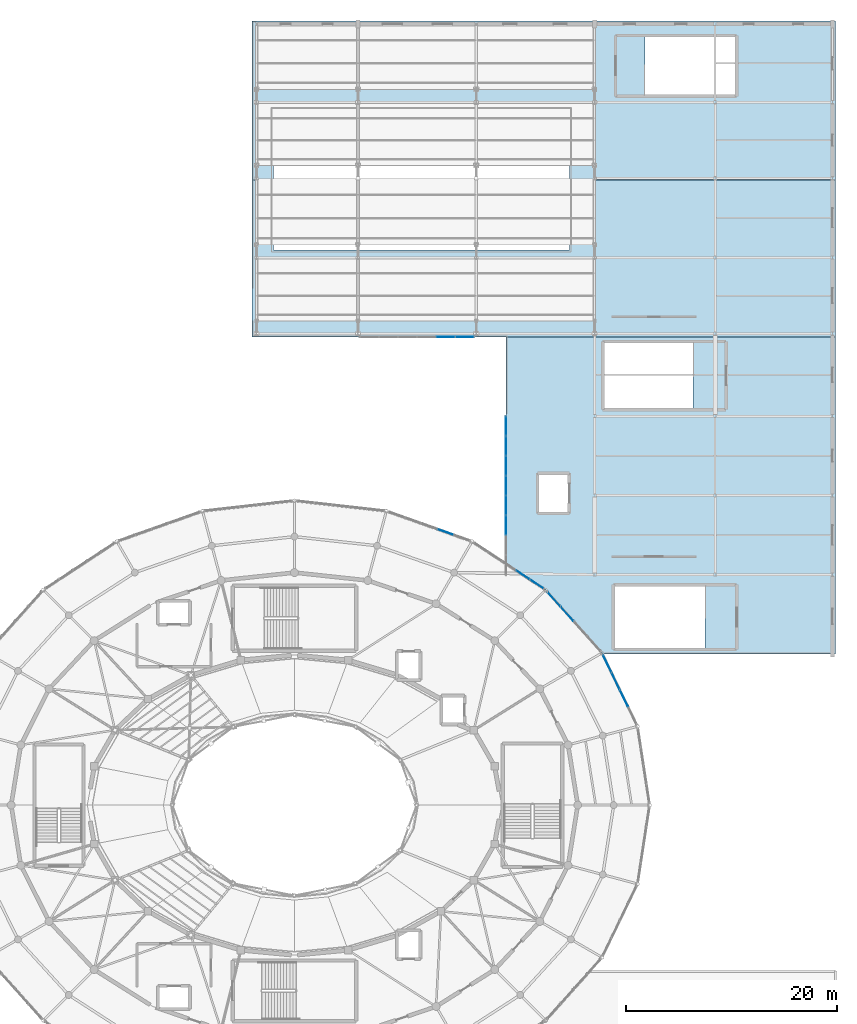
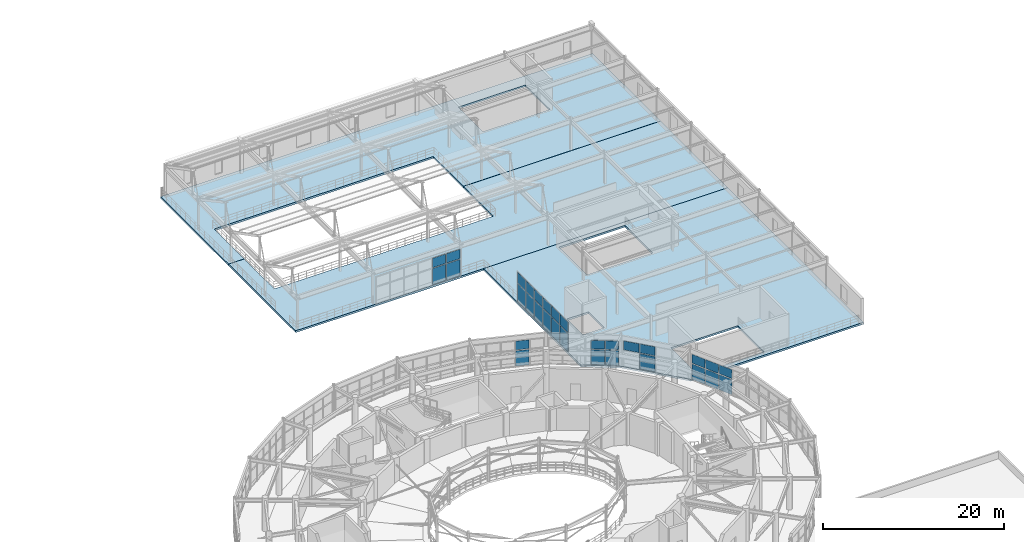
# One storey, part 79 of 112: 31 plates, 3 slabs, 7 elements without a shape of their own.
"""IFC4 building model written with IfcOpenShell, lengths in metres."""

from ifc_helpers import new_model, si_unit, direction, frame, origin, origin_2d, place, context, subcontext, project, spatial, polyline, rectangle, outline, extrude, material, layer, layer_set, type_object, element, aggregate, save


model = new_model("IFC4")

# Units and contexts
model_context = context("Model", 3, precision=1e-05, world=origin(), true_north=direction((0.0, 1.0)))
body_context = subcontext(model_context, "Body", "Model", "MODEL_VIEW")
ifc_project = project(units=[si_unit("LENGTHUNIT", "METRE"), si_unit("AREAUNIT", "SQUARE_METRE"), si_unit("VOLUMEUNIT", "CUBIC_METRE"), si_unit("PLANEANGLEUNIT", "RADIAN"), si_unit("MASSUNIT", "GRAM", prefix="KILO")], contexts=[model_context])

# Site, building, storey
site_placement = place(None, origin())
site = spatial("IfcSite", under=ifc_project, at=site_placement, CompositionType="ELEMENT")
building_placement = place(site_placement, origin())
building = spatial("IfcBuilding", under=site, at=building_placement, Name="Cinderbank Siding Concert Hall", CompositionType="ELEMENT")
storey_placement = place(building_placement, frame((0.0, 0.0, 10.199951171875)))
storey = spatial("IfcBuildingStorey", under=building, at=storey_placement, Name="L03", CompositionType="ELEMENT", Elevation=10.199951171875)

# Curtain wall, plates
ifc_material_1 = material(Name="Anodised aluminium alloy 6063-T6", Category="aluminium")
curtain_wall_type_1 = type_object("IfcCurtainWallType", Name="CW-16 Unitised Acoustic Curtain Wall 9200x3800", PredefinedType="NOTDEFINED", material=ifc_material_1)
curtain_wall_1_placement = place(storey_placement, origin())
curtain_wall_1 = element("IfcCurtainWall", 1, at=curtain_wall_1_placement, inside=storey, type_object=curtain_wall_type_1, Name="L03 Curtain Wall CW-16 #152", PredefinedType="NOTDEFINED")
ifc_material_2 = material(Name="Double-glazed laminated acoustic glass", Category="glass")
ifc_layer_1 = layer(ifc_material_2, 0.035888671875)
ifc_layer_set_1 = layer_set([ifc_layer_1], Name="Double-glazed laminated acoustic glass")
plate_type_1 = type_object("IfcPlateType", Name="CP-01 Glazed Curtain Panel 1800x2200", PredefinedType="CURTAIN_PANEL", material=ifc_layer_set_1)
plate_1_placement = place(storey_placement, frame((136.303466796875, 88.300048828125, 0.1201171875), z_axis=(0.0, 0.0, 1.0), x_axis=(1.0, 0.0, 0.0)))
plate_1 = element("IfcPlate", 2, at=plate_1_placement, type_object=plate_type_1, Name="CW-L03-152 Glazed Panel 4-0", PredefinedType="CURTAIN_PANEL", context=body_context, shape_type="SweptSolid", body=[
    extrude(rectangle(XDim=1.702392578125, YDim=0.035888671875, at=origin_2d()), origin(), (0.0, 0.0, 1.0), 2.174072265625),
])
plate_2_placement = place(storey_placement, frame((136.303466796875, 88.300048828125, 2.4140625), z_axis=(0.0, 0.0, 1.0), x_axis=(1.0, 0.0, 0.0)))
plate_2 = element("IfcPlate", 3, at=plate_2_placement, type_object=plate_type_1, Name="CW-L03-152 Glazed Panel 4-1", PredefinedType="CURTAIN_PANEL", context=body_context, shape_type="SweptSolid", body=[
    extrude(rectangle(XDim=1.702392578125, YDim=0.035888671875, at=origin_2d()), origin(), (0.0, 0.0, 1.0), 1.262939453125),
])
plate_3_placement = place(storey_placement, frame((138.105712890625, 88.300048828125, 0.1201171875), z_axis=(0.0, 0.0, 1.0), x_axis=(1.0, 0.0, 0.0)))
plate_3 = element("IfcPlate", 4, at=plate_3_placement, type_object=plate_type_1, Name="CW-L03-152 Glazed Panel 5-0", PredefinedType="CURTAIN_PANEL", context=body_context, shape_type="SweptSolid", body=[
    extrude(rectangle(XDim=1.702392578125, YDim=0.035888671875, at=origin_2d()), origin(), (0.0, 0.0, 1.0), 2.174072265625),
])
plate_4_placement = place(storey_placement, frame((138.105712890625, 88.300048828125, 2.4140625), z_axis=(0.0, 0.0, 1.0), x_axis=(1.0, 0.0, 0.0)))
plate_4 = element("IfcPlate", 5, at=plate_4_placement, type_object=plate_type_1, Name="CW-L03-152 Glazed Panel 5-1", PredefinedType="CURTAIN_PANEL", context=body_context, shape_type="SweptSolid", body=[
    extrude(rectangle(XDim=1.702392578125, YDim=0.035888671875, at=origin_2d()), origin(), (0.0, 0.0, 1.0), 1.262939453125),
])
aggregate(curtain_wall_1, [plate_1, plate_2, plate_3, plate_4])

curtain_wall_type_2 = type_object("IfcCurtainWallType", Name="CW-02 Unitised Acoustic Curtain Wall 7800x4400", PredefinedType="NOTDEFINED", material=ifc_material_1)
curtain_wall_2_placement = place(storey_placement, origin())
curtain_wall_2 = element("IfcCurtainWall", 6, at=curtain_wall_2_placement, inside=storey, type_object=curtain_wall_type_2, Name="L03 Curtain Wall CW-02 #26", PredefinedType="NOTDEFINED")
ifc_layer_2 = layer(ifc_material_2, 0.035888671875)
ifc_layer_set_2 = layer_set([ifc_layer_2], Name="Double-glazed laminated acoustic glass")
plate_type_2 = type_object("IfcPlateType", Name="CP-03 Glazed Curtain Panel 1600x2100", PredefinedType="CURTAIN_PANEL", material=ifc_layer_set_2)
plate_5_placement = place(storey_placement, frame((153.171630859375, 54.10986328125, 0.1201171875), z_axis=(0.0, 0.0, 1.0), x_axis=(-0.435102109714, 0.900381116041, 0.0)))
plate_5 = element("IfcPlate", 7, at=plate_5_placement, type_object=plate_type_2, Name="CW-L03-026 Glazed Panel 1-0", PredefinedType="CURTAIN_PANEL", context=body_context, shape_type="SweptSolid", body=[
    extrude(rectangle(XDim=1.715087890625, YDim=0.035888671875, at=origin_2d()), origin(), (0.0, 0.0, 1.0), 2.0625),
])
plate_6_placement = place(storey_placement, frame((153.171630859375, 54.10986328125, 2.302734375), z_axis=(0.0, 0.0, 1.0), x_axis=(-0.435102109714, 0.900381116041, 0.0)))
plate_6 = element("IfcPlate", 8, at=plate_6_placement, type_object=plate_type_2, Name="CW-L03-026 Glazed Panel 1-1", PredefinedType="CURTAIN_PANEL", context=body_context, shape_type="SweptSolid", body=[
    extrude(rectangle(XDim=1.715087890625, YDim=0.035888671875, at=origin_2d()), origin(), (0.0, 0.0, 1.0), 1.194580078125),
])
plate_7_placement = place(storey_placement, frame((152.3818359375, 55.744140625, 0.1201171875), z_axis=(0.0, 0.0, 1.0), x_axis=(-0.435102109714, 0.900381116041, 0.0)))
plate_7 = element("IfcPlate", 9, at=plate_7_placement, type_object=plate_type_2, Name="CW-L03-026 Glazed Panel 2-0", PredefinedType="CURTAIN_PANEL", context=body_context, shape_type="SweptSolid", body=[
    extrude(rectangle(XDim=1.715087890625, YDim=0.035888671875, at=origin_2d()), origin(), (0.0, 0.0, 1.0), 2.0625),
])
plate_8_placement = place(storey_placement, frame((152.3818359375, 55.744140625, 2.302734375), z_axis=(0.0, 0.0, 1.0), x_axis=(-0.435102109714, 0.900381116041, 0.0)))
plate_8 = element("IfcPlate", 10, at=plate_8_placement, type_object=plate_type_2, Name="CW-L03-026 Glazed Panel 2-1", PredefinedType="CURTAIN_PANEL", context=body_context, shape_type="SweptSolid", body=[
    extrude(rectangle(XDim=1.715087890625, YDim=0.035888671875, at=origin_2d()), origin(), (0.0, 0.0, 1.0), 1.194580078125),
])
plate_9_placement = place(storey_placement, frame((151.592041015625, 57.37841796875, 0.1201171875), z_axis=(0.0, 0.0, 1.0), x_axis=(-0.435102109714, 0.900381116041, 0.0)))
plate_9 = element("IfcPlate", 11, at=plate_9_placement, type_object=plate_type_2, Name="CW-L03-026 Glazed Panel 3-0", PredefinedType="CURTAIN_PANEL", context=body_context, shape_type="SweptSolid", body=[
    extrude(rectangle(XDim=1.715087890625, YDim=0.035888671875, at=origin_2d()), origin(), (0.0, 0.0, 1.0), 2.0625),
])
plate_10_placement = place(storey_placement, frame((151.592041015625, 57.37841796875, 2.302734375), z_axis=(0.0, 0.0, 1.0), x_axis=(-0.435102109714, 0.900381116041, 0.0)))
plate_10 = element("IfcPlate", 12, at=plate_10_placement, type_object=plate_type_2, Name="CW-L03-026 Glazed Panel 3-1", PredefinedType="CURTAIN_PANEL", context=body_context, shape_type="SweptSolid", body=[
    extrude(rectangle(XDim=1.715087890625, YDim=0.035888671875, at=origin_2d()), origin(), (0.0, 0.0, 1.0), 1.194580078125),
])
aggregate(curtain_wall_2, [plate_5, plate_6, plate_7, plate_8, plate_9, plate_10])

curtain_wall_type_3 = type_object("IfcCurtainWallType", Name="CW-03 Unitised Acoustic Curtain Wall 7400x4400", PredefinedType="NOTDEFINED", material=ifc_material_1)
curtain_wall_3_placement = place(storey_placement, origin())
curtain_wall_3 = element("IfcCurtainWall", 13, at=curtain_wall_3_placement, inside=storey, type_object=curtain_wall_type_3, Name="L03 Curtain Wall CW-03 #27", PredefinedType="NOTDEFINED")
ifc_layer_3 = layer(ifc_material_2, 0.031982421875)
ifc_layer_set_3 = layer_set([ifc_layer_3], Name="Double-glazed laminated acoustic glass")
plate_type_3 = type_object("IfcPlateType", Name="CP-04 Glazed Curtain Panel 1400x2000", PredefinedType="CURTAIN_PANEL", material=ifc_layer_set_3)
plate_11_placement = place(storey_placement, frame((147.799072265625, 62.085693359375, 0.1201171875), z_axis=(0.0, 0.0, 1.0), x_axis=(-0.666993465338, 0.745063565877, 0.0)))
plate_11 = element("IfcPlate", 14, at=plate_11_placement, type_object=plate_type_3, Name="CW-L03-027 Glazed Panel 2-0", PredefinedType="CURTAIN_PANEL", context=body_context, shape_type="SweptSolid", body=[
    extrude(rectangle(XDim=1.787841796875, YDim=0.035888671875, at=origin_2d()), origin(), (0.0, 0.0, 1.0), 2.0625),
])
plate_12_placement = place(storey_placement, frame((147.799072265625, 62.085693359375, 2.302734375), z_axis=(0.0, 0.0, 1.0), x_axis=(-0.666993465338, 0.745063565877, 0.0)))
plate_12 = element("IfcPlate", 15, at=plate_12_placement, type_object=plate_type_3, Name="CW-L03-027 Glazed Panel 2-1", PredefinedType="CURTAIN_PANEL", context=body_context, shape_type="SweptSolid", body=[
    extrude(rectangle(XDim=1.787841796875, YDim=0.035888671875, at=origin_2d()), origin(), (0.0, 0.0, 1.0), 1.194580078125),
])
plate_13_placement = place(storey_placement, frame((146.539794921875, 63.4921875, 2.302734375), z_axis=(0.0, 0.0, 1.0), x_axis=(-0.666993465338, 0.745063565877, 0.0)))
plate_13 = element("IfcPlate", 16, at=plate_13_placement, type_object=plate_type_3, Name="CW-L03-027 Glazed Panel 3-1", PredefinedType="CURTAIN_PANEL", context=body_context, shape_type="SweptSolid", body=[
    extrude(rectangle(XDim=1.787841796875, YDim=0.035888671875, at=origin_2d()), origin(), (0.0, 0.0, 1.0), 1.194580078125),
])
aggregate(curtain_wall_3, [plate_11, plate_12, plate_13])

curtain_wall_type_4 = type_object("IfcCurtainWallType", Name="CW-04 Unitised Acoustic Curtain Wall 7000x4400", PredefinedType="NOTDEFINED", material=ifc_material_1)
curtain_wall_4_placement = place(storey_placement, origin())
curtain_wall_4 = element("IfcCurtainWall", 17, at=curtain_wall_4_placement, inside=storey, type_object=curtain_wall_type_4, Name="L03 Curtain Wall CW-04 #28", PredefinedType="NOTDEFINED")
ifc_layer_4 = layer(ifc_material_2, 0.031982421875)
ifc_layer_set_4 = layer_set([ifc_layer_4], Name="Double-glazed laminated acoustic glass")
plate_type_4 = type_object("IfcPlateType", Name="CP-05 Glazed Curtain Panel 1200x1800", PredefinedType="CURTAIN_PANEL", material=ifc_layer_set_4)
plate_14_placement = place(storey_placement, frame((144.9111328125, 64.922119140625, 0.1201171875), z_axis=(0.0, 0.0, 1.0), x_axis=(-0.835491932304, 0.549502712509, 0.0)))
plate_14 = element("IfcPlate", 18, at=plate_14_placement, type_object=plate_type_4, Name="CW-L03-028 Glazed Panel 0-0", PredefinedType="CURTAIN_PANEL", context=body_context, shape_type="SweptSolid", body=[
    extrude(rectangle(XDim=1.47509765625, YDim=0.035888671875, at=origin_2d()), origin(), (0.0, 0.0, 1.0), 2.00048828125),
])
plate_15_placement = place(storey_placement, frame((144.9111328125, 64.922119140625, 2.24072265625), z_axis=(0.0, 0.0, 1.0), x_axis=(-0.835491932304, 0.549502712509, 0.0)))
plate_15 = element("IfcPlate", 19, at=plate_15_placement, type_object=plate_type_4, Name="CW-L03-028 Glazed Panel 0-1", PredefinedType="CURTAIN_PANEL", context=body_context, shape_type="SweptSolid", body=[
    extrude(rectangle(XDim=1.47509765625, YDim=0.035888671875, at=origin_2d()), origin(), (0.0, 0.0, 1.0), 1.156494140625),
])
plate_16_placement = place(storey_placement, frame((143.59521484375, 65.78759765625, 0.1201171875), z_axis=(0.0, 0.0, 1.0), x_axis=(-0.835491932304, 0.549502712509, 0.0)))
plate_16 = element("IfcPlate", 20, at=plate_16_placement, type_object=plate_type_4, Name="CW-L03-028 Glazed Panel 1-0", PredefinedType="CURTAIN_PANEL", context=body_context, shape_type="SweptSolid", body=[
    extrude(rectangle(XDim=1.47509765625, YDim=0.035888671875, at=origin_2d()), origin(), (0.0, 0.0, 1.0), 2.00048828125),
])
plate_17_placement = place(storey_placement, frame((143.59521484375, 65.78759765625, 2.24072265625), z_axis=(0.0, 0.0, 1.0), x_axis=(-0.835491932304, 0.549502712509, 0.0)))
plate_17 = element("IfcPlate", 21, at=plate_17_placement, type_object=plate_type_4, Name="CW-L03-028 Glazed Panel 1-1", PredefinedType="CURTAIN_PANEL", context=body_context, shape_type="SweptSolid", body=[
    extrude(rectangle(XDim=1.47509765625, YDim=0.035888671875, at=origin_2d()), origin(), (0.0, 0.0, 1.0), 1.156494140625),
])
aggregate(curtain_wall_4, [plate_14, plate_15, plate_16, plate_17])

curtain_wall_5_placement = place(storey_placement, origin())
curtain_wall_5 = element("IfcCurtainWall", 22, at=curtain_wall_5_placement, inside=storey, type_object=curtain_wall_type_1, Name="L03 Curtain Wall CW-16 #148", PredefinedType="NOTDEFINED")
plate_18_placement = place(storey_placement, frame((142.0, 70.487548828125, 0.1201171875), z_axis=(0.0, 0.0, 1.0), x_axis=(0.0, 1.0, 0.0)))
plate_18 = element("IfcPlate", 23, at=plate_18_placement, type_object=plate_type_4, Name="CW-L03-148 Glazed Panel 2-0", PredefinedType="CURTAIN_PANEL", context=body_context, shape_type="SweptSolid", body=[
    extrude(rectangle(XDim=1.77490234375, YDim=0.035888671875, at=origin_2d()), origin(), (0.0, 0.0, 1.0), 2.433349609375),
])
plate_19_placement = place(storey_placement, frame((142.0, 70.487548828125, 2.67333984375), z_axis=(0.0, 0.0, 1.0), x_axis=(0.0, 1.0, 0.0)))
plate_19 = element("IfcPlate", 24, at=plate_19_placement, type_object=plate_type_4, Name="CW-L03-148 Glazed Panel 2-1", PredefinedType="CURTAIN_PANEL", context=body_context, shape_type="SweptSolid", body=[
    extrude(rectangle(XDim=1.77490234375, YDim=0.035888671875, at=origin_2d()), origin(), (0.0, 0.0, 1.0), 1.421630859375),
])
plate_20_placement = place(storey_placement, frame((142.0, 72.362548828125, 0.1201171875), z_axis=(0.0, 0.0, 1.0), x_axis=(0.0, 1.0, 0.0)))
plate_20 = element("IfcPlate", 25, at=plate_20_placement, type_object=plate_type_4, Name="CW-L03-148 Glazed Panel 3-0", PredefinedType="CURTAIN_PANEL", context=body_context, shape_type="SweptSolid", body=[
    extrude(rectangle(XDim=1.77490234375, YDim=0.035888671875, at=origin_2d()), origin(), (0.0, 0.0, 1.0), 2.433349609375),
])
plate_21_placement = place(storey_placement, frame((142.0, 72.362548828125, 2.67333984375), z_axis=(0.0, 0.0, 1.0), x_axis=(0.0, 1.0, 0.0)))
plate_21 = element("IfcPlate", 26, at=plate_21_placement, type_object=plate_type_4, Name="CW-L03-148 Glazed Panel 3-1", PredefinedType="CURTAIN_PANEL", context=body_context, shape_type="SweptSolid", body=[
    extrude(rectangle(XDim=1.77490234375, YDim=0.035888671875, at=origin_2d()), origin(), (0.0, 0.0, 1.0), 1.421630859375),
])
aggregate(curtain_wall_5, [plate_18, plate_19, plate_20, plate_21])

curtain_wall_type_5 = type_object("IfcCurtainWallType", Name="CW-05 Unitised Acoustic Curtain Wall 8200x3800", PredefinedType="NOTDEFINED", material=ifc_material_1)
curtain_wall_6_placement = place(storey_placement, origin())
curtain_wall_6 = element("IfcCurtainWall", 27, at=curtain_wall_6_placement, inside=storey, type_object=curtain_wall_type_5, Name="L03 Curtain Wall CW-05 #29", PredefinedType="NOTDEFINED")
ifc_layer_5 = layer(ifc_material_2, 0.0380859375)
ifc_layer_set_5 = layer_set([ifc_layer_5], Name="Double-glazed laminated acoustic glass")
plate_type_5 = type_object("IfcPlateType", Name="CP-06 Glazed Curtain Panel 2100x1600", PredefinedType="CURTAIN_PANEL", material=ifc_layer_set_5)
plate_22_placement = place(storey_placement, frame((136.283203125, 69.8349609375, 0.1201171875), z_axis=(0.0, 0.0, 1.0), x_axis=(-0.942365662238, 0.334584755532, 0.0)))
plate_22 = element("IfcPlate", 28, at=plate_22_placement, type_object=plate_type_5, Name="CW-L03-029 Glazed Panel 1-0", PredefinedType="CURTAIN_PANEL", context=body_context, shape_type="SweptSolid", body=[
    extrude(rectangle(XDim=1.529052734375, YDim=0.035888671875, at=origin_2d()), origin(), (0.0, 0.0, 1.0), 2.0625),
])
plate_23_placement = place(storey_placement, frame((136.283203125, 69.8349609375, 2.302734375), z_axis=(0.0, 0.0, 1.0), x_axis=(-0.942365662238, 0.334584755532, 0.0)))
plate_23 = element("IfcPlate", 29, at=plate_23_placement, type_object=plate_type_5, Name="CW-L03-029 Glazed Panel 1-1", PredefinedType="CURTAIN_PANEL", context=body_context, shape_type="SweptSolid", body=[
    extrude(rectangle(XDim=1.529052734375, YDim=0.035888671875, at=origin_2d()), origin(), (0.0, 0.0, 1.0), 1.194580078125),
])
aggregate(curtain_wall_6, [plate_22, plate_23])

curtain_wall_7_placement = place(storey_placement, origin())
curtain_wall_7 = element("IfcCurtainWall", 30, at=curtain_wall_7_placement, inside=storey, type_object=curtain_wall_type_1, Name="L03 Curtain Wall CW-16 #149", PredefinedType="NOTDEFINED")
plate_24_placement = place(storey_placement, frame((142.0, 74.237548828125, 0.1201171875), z_axis=(0.0, 0.0, 1.0), x_axis=(0.0, 1.0, 0.0)))
plate_24 = element("IfcPlate", 31, at=plate_24_placement, type_object=plate_type_5, Name="CW-L03-149 Glazed Panel 0-0", PredefinedType="CURTAIN_PANEL", context=body_context, shape_type="SweptSolid", body=[
    extrude(rectangle(XDim=1.77490234375, YDim=0.035888671875, at=origin_2d()), origin(), (0.0, 0.0, 1.0), 2.433349609375),
])
plate_25_placement = place(storey_placement, frame((142.0, 74.237548828125, 2.67333984375), z_axis=(0.0, 0.0, 1.0), x_axis=(0.0, 1.0, 0.0)))
plate_25 = element("IfcPlate", 32, at=plate_25_placement, type_object=plate_type_5, Name="CW-L03-149 Glazed Panel 0-1", PredefinedType="CURTAIN_PANEL", context=body_context, shape_type="SweptSolid", body=[
    extrude(rectangle(XDim=1.77490234375, YDim=0.035888671875, at=origin_2d()), origin(), (0.0, 0.0, 1.0), 1.421630859375),
])
plate_26_placement = place(storey_placement, frame((142.0, 76.112548828125, 0.1201171875), z_axis=(0.0, 0.0, 1.0), x_axis=(0.0, 1.0, 0.0)))
plate_26 = element("IfcPlate", 33, at=plate_26_placement, type_object=plate_type_5, Name="CW-L03-149 Glazed Panel 1-0", PredefinedType="CURTAIN_PANEL", context=body_context, shape_type="SweptSolid", body=[
    extrude(rectangle(XDim=1.77490234375, YDim=0.035888671875, at=origin_2d()), origin(), (0.0, 0.0, 1.0), 2.433349609375),
])
plate_27_placement = place(storey_placement, frame((142.0, 76.112548828125, 2.67333984375), z_axis=(0.0, 0.0, 1.0), x_axis=(0.0, 1.0, 0.0)))
plate_27 = element("IfcPlate", 34, at=plate_27_placement, type_object=plate_type_5, Name="CW-L03-149 Glazed Panel 1-1", PredefinedType="CURTAIN_PANEL", context=body_context, shape_type="SweptSolid", body=[
    extrude(rectangle(XDim=1.77490234375, YDim=0.035888671875, at=origin_2d()), origin(), (0.0, 0.0, 1.0), 1.421630859375),
])
plate_28_placement = place(storey_placement, frame((142.0, 77.987548828125, 0.1201171875), z_axis=(0.0, 0.0, 1.0), x_axis=(0.0, 1.0, 0.0)))
plate_28 = element("IfcPlate", 35, at=plate_28_placement, type_object=plate_type_5, Name="CW-L03-149 Glazed Panel 2-0", PredefinedType="CURTAIN_PANEL", context=body_context, shape_type="SweptSolid", body=[
    extrude(rectangle(XDim=1.77490234375, YDim=0.035888671875, at=origin_2d()), origin(), (0.0, 0.0, 1.0), 2.433349609375),
])
plate_29_placement = place(storey_placement, frame((142.0, 77.987548828125, 2.67333984375), z_axis=(0.0, 0.0, 1.0), x_axis=(0.0, 1.0, 0.0)))
plate_29 = element("IfcPlate", 36, at=plate_29_placement, type_object=plate_type_5, Name="CW-L03-149 Glazed Panel 2-1", PredefinedType="CURTAIN_PANEL", context=body_context, shape_type="SweptSolid", body=[
    extrude(rectangle(XDim=1.77490234375, YDim=0.035888671875, at=origin_2d()), origin(), (0.0, 0.0, 1.0), 1.421630859375),
])
plate_30_placement = place(storey_placement, frame((142.0, 79.862548828125, 0.1201171875), z_axis=(0.0, 0.0, 1.0), x_axis=(0.0, 1.0, 0.0)))
plate_30 = element("IfcPlate", 37, at=plate_30_placement, type_object=plate_type_5, Name="CW-L03-149 Glazed Panel 3-0", PredefinedType="CURTAIN_PANEL", context=body_context, shape_type="SweptSolid", body=[
    extrude(rectangle(XDim=1.77490234375, YDim=0.035888671875, at=origin_2d()), origin(), (0.0, 0.0, 1.0), 2.433349609375),
])
plate_31_placement = place(storey_placement, frame((142.0, 79.862548828125, 2.67333984375), z_axis=(0.0, 0.0, 1.0), x_axis=(0.0, 1.0, 0.0)))
plate_31 = element("IfcPlate", 38, at=plate_31_placement, type_object=plate_type_5, Name="CW-L03-149 Glazed Panel 3-1", PredefinedType="CURTAIN_PANEL", context=body_context, shape_type="SweptSolid", body=[
    extrude(rectangle(XDim=1.77490234375, YDim=0.035888671875, at=origin_2d()), origin(), (0.0, 0.0, 1.0), 1.421630859375),
])
aggregate(curtain_wall_7, [plate_24, plate_25, plate_26, plate_27, plate_28, plate_29, plate_30, plate_31])

# Slabs
ifc_material_3 = material(Name="Reinforced concrete AS 3600 N50 (50 MPa)", Category="concrete")
ifc_layer_6 = layer(ifc_material_3, 0.260009765625)
ifc_layer_set_6 = layer_set([ifc_layer_6], Name="Reinforced concrete AS 3600 N50 (50 MPa)")
slab_type_1 = type_object("IfcSlabType", Name="SL-03 Slab 260mm", PredefinedType="FLOOR", material=ifc_layer_set_6)
slab_1_placement = place(storey_placement, frame((0.0, 0.0, -0.260009765625)))
element("IfcSlab", 39, at=slab_1_placement, inside=storey, type_object=slab_type_1, Name="L03 Orchestral Upper Studio Slab North", PredefinedType="FLOOR", context=body_context, shape_type="SweptSolid", body=[
    extrude(outline(polyline([(173.199951171875, 118.199951171875), (173.199951171875, 103.156005859375), (148.0, 103.156005859375), (148.0, 109.800048828125), (120.0, 109.800048828125), (120.0, 103.156005859375), (118.0, 103.156005859375), (118.0, 118.199951171875), (173.199951171875, 118.199951171875)]), holes=[polyline([(155.14990234375, 111.199951171875), (163.699951171875, 111.199951171875), (163.699951171875, 116.659912109375), (155.14990234375, 116.659912109375), (155.14990234375, 111.199951171875)])]), origin(), (0.0, 0.0, 1.0), 0.260009765625),
])
slab_2_placement = place(storey_placement, frame((0.0, 0.0, -0.260009765625)))
element("IfcSlab", 40, at=slab_2_placement, inside=storey, type_object=slab_type_1, Name="L03 Orchestral Upper Studio Slab South", PredefinedType="FLOOR", context=body_context, shape_type="SweptSolid", body=[
    extrude(outline(polyline([(173.199951171875, 88.300048828125), (118.0, 88.300048828125), (118.0, 103.14404296875), (120.0, 103.14404296875), (120.0, 96.5), (148.0, 96.5), (148.0, 103.14404296875), (173.199951171875, 103.14404296875), (173.199951171875, 88.300048828125)])), origin(), (0.0, 0.0, 1.0), 0.260009765625),
])
ifc_layer_7 = layer(ifc_material_3, 0.25)
ifc_layer_set_7 = layer_set([ifc_layer_7], Name="Reinforced concrete AS 3600 N50 (50 MPa)")
slab_type_2 = type_object("IfcSlabType", Name="SL-04 Slab 250mm", PredefinedType="FLOOR", material=ifc_layer_set_7)
slab_3_placement = place(storey_placement, frame((0.0, 0.0, -0.25)))
element("IfcSlab", 41, at=slab_3_placement, inside=storey, type_object=slab_type_2, Name="L03 EL Slab", PredefinedType="FLOOR", context=body_context, shape_type="SweptSolid", body=[
    extrude(outline(polyline([(173.199951171875, 88.300048828125), (173.199951171875, 58.300048828125), (151.146728515625, 58.300048828125), (151.098388671875, 58.39990234375), (145.7587890625, 64.36474609375), (142.0, 66.8369140625), (142.0, 88.300048828125), (173.199951171875, 88.300048828125)]), holes=[polyline([(159.699951171875, 87.7099609375), (151.300048828125, 87.7099609375), (151.300048828125, 81.550048828125), (159.699951171875, 81.550048828125), (159.699951171875, 87.7099609375)]), polyline([(160.85009765625, 64.7099609375), (152.300048828125, 64.7099609375), (152.300048828125, 58.85009765625), (160.85009765625, 58.85009765625), (160.85009765625, 64.7099609375)]), polyline([(145.139892578125, 71.739990234375), (147.860107421875, 71.739990234375), (147.860107421875, 75.260009765625), (145.139892578125, 75.260009765625), (145.139892578125, 71.739990234375)])]), origin(), (0.0, 0.0, 1.0), 0.25),
])

save(model, "model.ifc")
